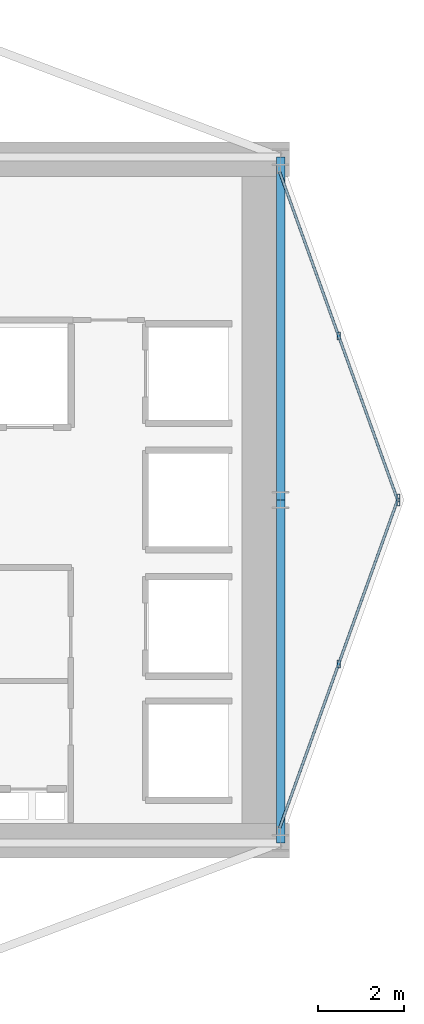
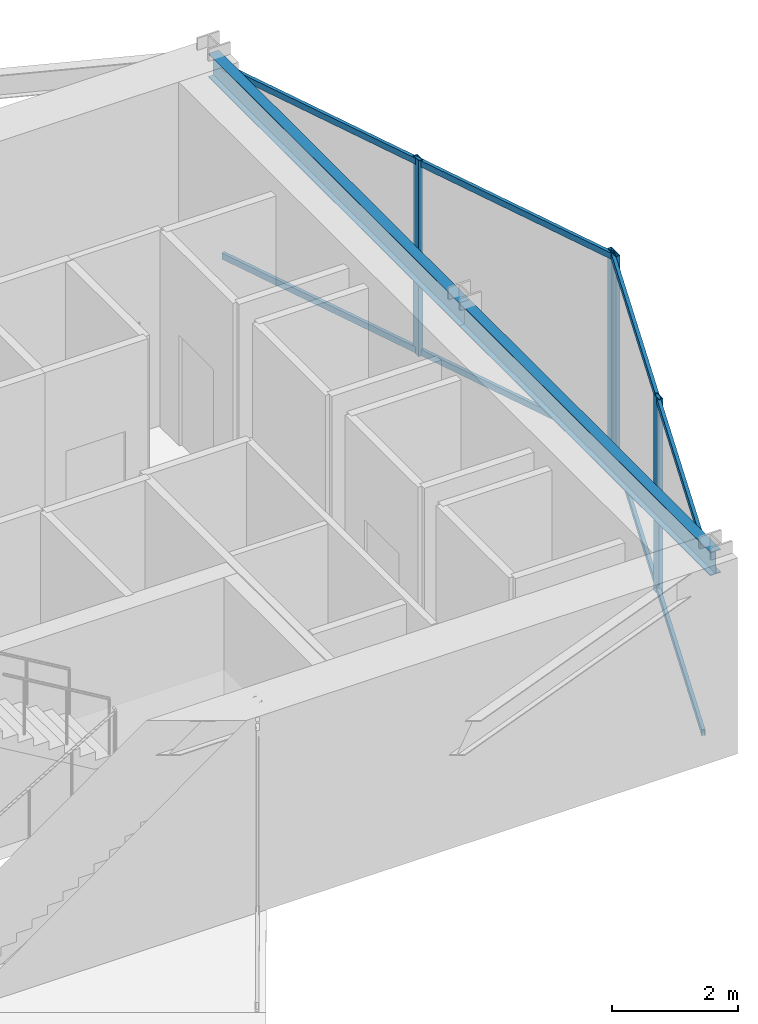
# One storey, part 14 of 25: 8 members, 2 beams, 2 elements without a shape of their own.
"""IFC4 building model written with IfcOpenShell, lengths in metres."""

from ifc_helpers import new_model, si_unit, direction, frame, origin, origin_2d, place, context, subcontext, project, spatial, hollow_rectangle, i_section, extrude, material, layer, layer_set, material_profile, profile_set, type_object, element, aggregate, save


model = new_model("IFC4")

# Units and contexts
model_context = context("Model", 3, precision=1e-05, world=origin(), true_north=direction((0.0, 1.0)))
body_context = subcontext(model_context, "Body", "Model", "MODEL_VIEW")
ifc_project = project(units=[si_unit("LENGTHUNIT", "METRE"), si_unit("AREAUNIT", "SQUARE_METRE"), si_unit("VOLUMEUNIT", "CUBIC_METRE"), si_unit("PLANEANGLEUNIT", "RADIAN"), si_unit("MASSUNIT", "GRAM", prefix="KILO")], contexts=[model_context])

# Site, building, storey
site_placement = place(None, origin())
site = spatial("IfcSite", under=ifc_project, at=site_placement, CompositionType="ELEMENT")
building_placement = place(site_placement, origin())
building = spatial("IfcBuilding", under=site, at=building_placement, Name="Veymaron Broadcast Tower", CompositionType="ELEMENT")
storey_placement = place(building_placement, frame((0.0, 0.0, 173.550048828125)))
storey = spatial("IfcBuildingStorey", under=building, at=storey_placement, Name="L40", CompositionType="ELEMENT", Elevation=173.550048828125)

# Beams
ifc_material_1 = material(Name="Structural steel ASTM A992 Gr 50", Category="steel")
ifc_material_profile_1 = material_profile(ifc_material_1, i_section(OverallWidth=0.19091796875, OverallDepth=0.4599609375, WebThickness=0.010009765625, FlangeThickness=0.01611328125, at=origin_2d()), Name="W460X82")
ifc_profile_set_1 = profile_set([ifc_material_profile_1], Name="Structural steel ASTM A992 Gr 50")
beam_type = type_object("IfcBeamType", Name="BM-SP1", PredefinedType="SPANDREL", material=ifc_profile_set_1)
for number, where, z_axis, x_axis, name in (
    (1, (54.60009765625, 16.0, 3.579833984375), (0.0, 1.0, 0.0), (-1.0, 0.0, 0.0), "L40 primary structural floor girder"),
    (2, (54.60009765625, 24.0, 3.579833984375), (0.0, 1.0, 0.0), (-1.0, 0.0, 0.0), "L40 primary structural floor girder"),
):
    element("IfcBeam", number, at=place(storey_placement, frame(where, z_axis=z_axis, x_axis=x_axis)), inside=storey, type_object=beam_type, Name=name, PredefinedType="SPANDREL", context=body_context, shape_type="SweptSolid", body=[
        extrude(i_section(OverallWidth=0.19091796875, OverallDepth=0.4599609375, WebThickness=0.010009765625, FlangeThickness=0.01611328125, at=origin_2d()), origin(), (0.0, 0.0, 1.0), 8.0),
    ])

# Curtain wall, members
ifc_material_2 = material(Name="Anodised aluminium AA 6063-T6 and laminated low-E dark glass", Category="aluminium")
ifc_layer = layer(ifc_material_2, 0.179931640625)
ifc_layer_set = layer_set([ifc_layer], Name="Anodised aluminium AA 6063-T6 and laminated low-E dark glass")
curtain_wall_type = type_object("IfcCurtainWallType", Name="CW-SYS-03", PredefinedType="NOTDEFINED", material=ifc_layer_set)
curtain_wall_1_placement = place(storey_placement, origin())
curtain_wall_1 = element("IfcCurtainWall", 3, at=curtain_wall_1_placement, inside=storey, type_object=curtain_wall_type, Name="L40 dark-glass curtain wall CW-L40-E2-1", PredefinedType="NOTDEFINED")
ifc_material_3 = material(Name="Anodised aluminium AA 6063-T6", Category="aluminium")
ifc_material_profile_2 = material_profile(ifc_material_3, hollow_rectangle(XDim=0.074951171875, YDim=0.179931640625, WallThickness=0.0048828125, at=origin_2d()), Name="AL180X75X5")
ifc_profile_set_2 = profile_set([ifc_material_profile_2], Name="Anodised aluminium AA 6063-T6")
member_type_1 = type_object("IfcMemberType", Name="CW-MUL-02", PredefinedType="MULLION", material=ifc_profile_set_2)
member_1_placement = place(storey_placement, frame((55.951904296875, 20.173095703125, 0.0), z_axis=(0.0, 0.0, 1.0), x_axis=(1.0, 0.0, 0.0)))
member_1 = element("IfcMember", 4, at=member_1_placement, type_object=member_type_1, Name="CW-L40-E2-1 mullion 1", PredefinedType="MULLION", context=body_context, shape_type="SweptSolid", body=[
    extrude(hollow_rectangle(XDim=0.074951171875, YDim=0.179931640625, WallThickness=0.0048828125, at=origin_2d()), origin(), (0.0, 0.0, 1.0), 3.81005859375),
])
member_2_placement = place(storey_placement, frame((57.34521484375, 24.04736328125, 0.0), z_axis=(0.0, 0.0, 1.0), x_axis=(1.0, 0.0, 0.0)))
member_2 = element("IfcMember", 5, at=member_2_placement, type_object=member_type_1, Name="CW-L40-E2-1 mullion 2", PredefinedType="MULLION", context=body_context, shape_type="SweptSolid", body=[
    extrude(hollow_rectangle(XDim=0.074951171875, YDim=0.179931640625, WallThickness=0.0048828125, at=origin_2d()), origin(), (0.0, 0.0, 1.0), 3.81005859375),
])

curtain_wall_2_placement = place(storey_placement, origin())
curtain_wall_2 = element("IfcCurtainWall", 6, at=curtain_wall_2_placement, inside=storey, type_object=curtain_wall_type, Name="L40 dark-glass curtain wall CW-L40-E3-1", PredefinedType="NOTDEFINED")
member_3_placement = place(storey_placement, frame((57.34521484375, 23.95263671875, 0.0), z_axis=(0.0, 0.0, 1.0), x_axis=(1.0, 0.0, 0.0)))
member_3 = element("IfcMember", 7, at=member_3_placement, type_object=member_type_1, Name="CW-L40-E3-1 mullion 0", PredefinedType="MULLION", context=body_context, shape_type="SweptSolid", body=[
    extrude(hollow_rectangle(XDim=0.074951171875, YDim=0.179931640625, WallThickness=0.0048828125, at=origin_2d()), origin(), (0.0, 0.0, 1.0), 3.81005859375),
])
member_4_placement = place(storey_placement, frame((55.951904296875, 27.826904296875, 0.0), z_axis=(0.0, 0.0, 1.0), x_axis=(1.0, 0.0, 0.0)))
member_4 = element("IfcMember", 8, at=member_4_placement, type_object=member_type_1, Name="CW-L40-E3-1 mullion 1", PredefinedType="MULLION", context=body_context, shape_type="SweptSolid", body=[
    extrude(hollow_rectangle(XDim=0.074951171875, YDim=0.179931640625, WallThickness=0.0048828125, at=origin_2d()), origin(), (0.0, 0.0, 1.0), 3.81005859375),
])

# Member
ifc_material_profile_3 = material_profile(ifc_material_3, hollow_rectangle(XDim=0.06005859375, YDim=0.1201171875, WallThickness=0.00390625, at=origin_2d()), Name="AL120X60X4")
ifc_profile_set_3 = profile_set([ifc_material_profile_3], Name="Anodised aluminium AA 6063-T6")
member_type_2 = type_object("IfcMemberType", Name="CW-TRN-02", PredefinedType="USERDEFINED", material=ifc_profile_set_3)
member_5_placement = place(storey_placement, frame((54.57568359375, 16.34619140625, 0.070068359375), z_axis=(0.338417601634, 0.940996029165, 0.0), x_axis=(-0.940996029165, 0.338417601634, 0.0)))
member_5 = element("IfcMember", 9, at=member_5_placement, type_object=member_type_2, Name="CW-L40-E2-1 transom B", ObjectType="TRANSOM", PredefinedType="USERDEFINED", context=body_context, shape_type="SweptSolid", body=[
    extrude(hollow_rectangle(XDim=0.06005859375, YDim=0.1201171875, WallThickness=0.00390625, at=origin_2d()), origin(), (0.0, 0.0, 1.0), 8.134033203125),
])

member_6_placement = place(storey_placement, frame((54.57568359375, 16.34619140625, 3.739990234375), z_axis=(0.338417601634, 0.940996029165, 0.0), x_axis=(-0.940996029165, 0.338417601634, 0.0)))
member_6 = element("IfcMember", 10, at=member_6_placement, type_object=member_type_2, Name="CW-L40-E2-1 transom T", ObjectType="TRANSOM", PredefinedType="USERDEFINED", context=body_context, shape_type="SweptSolid", body=[
    extrude(hollow_rectangle(XDim=0.06005859375, YDim=0.1201171875, WallThickness=0.00390625, at=origin_2d()), origin(), (0.0, 0.0, 1.0), 8.134033203125),
])

aggregate(curtain_wall_1, [member_1, member_2, member_5, member_6])

member_7_placement = place(storey_placement, frame((57.328369140625, 23.999755859375, 0.070068359375), z_axis=(-0.338417601634, 0.940996029165, 0.0), x_axis=(-0.940996029165, -0.338417601634, 0.0)))
member_7 = element("IfcMember", 11, at=member_7_placement, type_object=member_type_2, Name="CW-L40-E3-1 transom B", ObjectType="TRANSOM", PredefinedType="USERDEFINED", context=body_context, shape_type="SweptSolid", body=[
    extrude(hollow_rectangle(XDim=0.06005859375, YDim=0.1201171875, WallThickness=0.00390625, at=origin_2d()), origin(), (0.0, 0.0, 1.0), 8.134033203125),
])

member_8_placement = place(storey_placement, frame((57.328369140625, 23.999755859375, 3.739990234375), z_axis=(-0.338417601634, 0.940996029165, 0.0), x_axis=(-0.940996029165, -0.338417601634, 0.0)))
member_8 = element("IfcMember", 12, at=member_8_placement, type_object=member_type_2, Name="CW-L40-E3-1 transom T", ObjectType="TRANSOM", PredefinedType="USERDEFINED", context=body_context, shape_type="SweptSolid", body=[
    extrude(hollow_rectangle(XDim=0.06005859375, YDim=0.1201171875, WallThickness=0.00390625, at=origin_2d()), origin(), (0.0, 0.0, 1.0), 8.134033203125),
])

aggregate(curtain_wall_2, [member_3, member_4, member_7, member_8])

save(model, "model.ifc")
